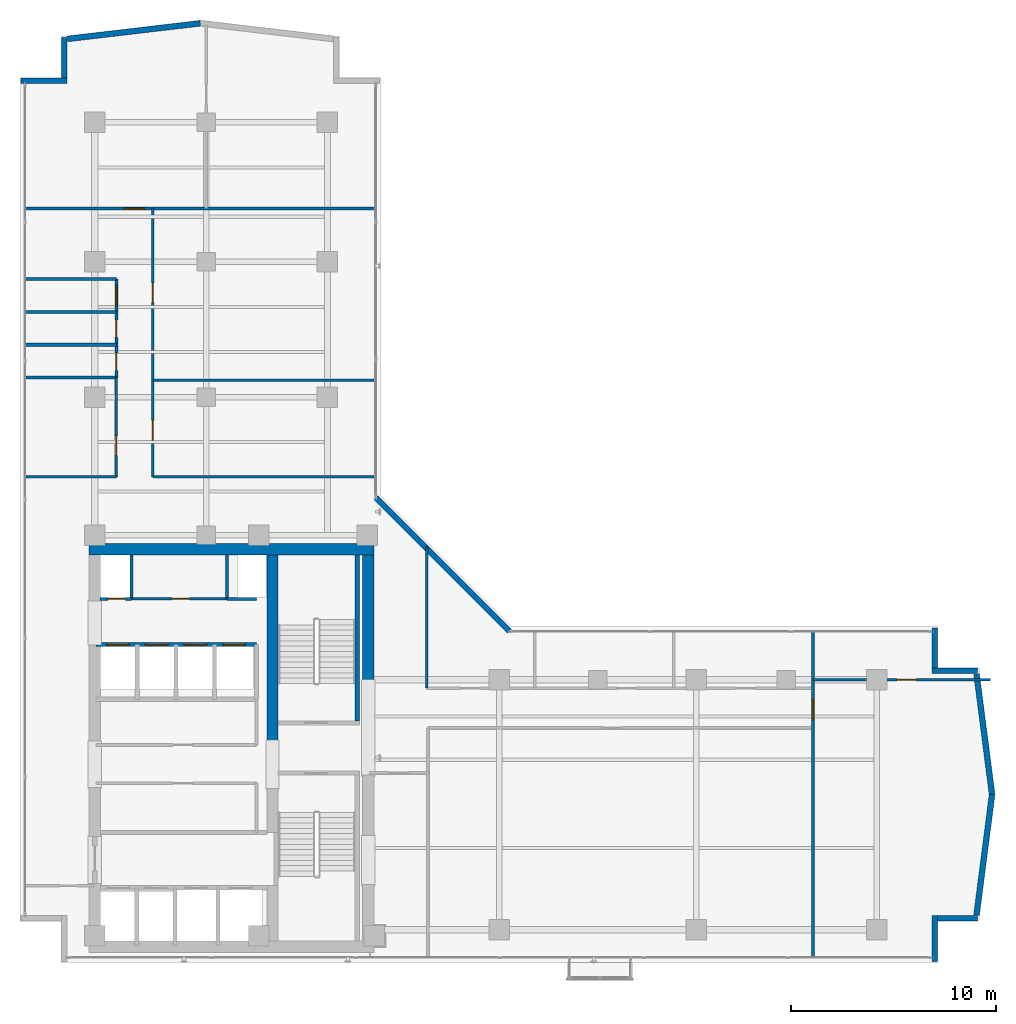
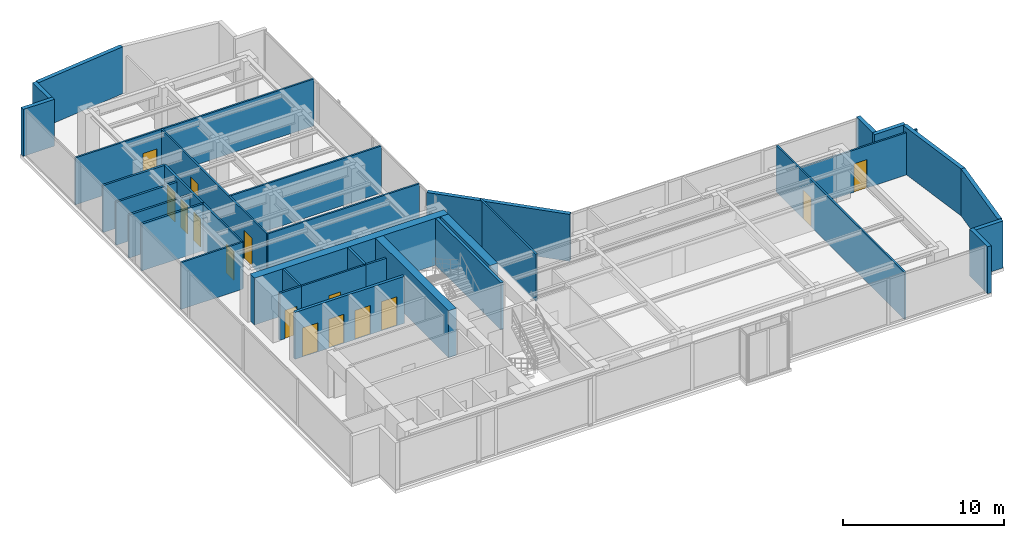
# One storey, part 18 of 23: 34 walls, 15 doors, 15 openings.
"""IFC4 building model written with IfcOpenShell, lengths in metres."""

from ifc_helpers import new_model, si_unit, direction, frame, frame_2d, origin, place, context, subcontext, project, spatial, rectangle, extrude, material, layer, layer_set, type_object, element, fill, save


model = new_model("IFC4")

# Units and contexts
model_context = context("Model", 3, precision=1e-05, world=origin(), true_north=direction((0.0, 1.0)))
body_context = subcontext(model_context, "Body", "Model", "MODEL_VIEW")
ifc_project = project(units=[si_unit("LENGTHUNIT", "METRE"), si_unit("AREAUNIT", "SQUARE_METRE"), si_unit("VOLUMEUNIT", "CUBIC_METRE"), si_unit("PLANEANGLEUNIT", "RADIAN"), si_unit("MASSUNIT", "GRAM", prefix="KILO")], contexts=[model_context])

# Site, building, storey
site_placement = place(None, origin())
site = spatial("IfcSite", under=ifc_project, at=site_placement, CompositionType="ELEMENT")
building_placement = place(site_placement, origin())
building = spatial("IfcBuilding", under=site, at=building_placement, Name="Kolvaren Waterfront Exchange", CompositionType="ELEMENT")
storey_placement = place(building_placement, frame((0.0, 0.0, 250.10009765625)))
storey = spatial("IfcBuildingStorey", under=building, at=storey_placement, Name="L64", CompositionType="ELEMENT", Elevation=250.10009765625)

# Walls
ifc_material_1 = material(Name="Precast concrete C40/50", Category="concrete")
ifc_layer_1 = layer(ifc_material_1, 0.280029296875, Name="Precast concrete C40/50")
ifc_layer_set_1 = layer_set([ifc_layer_1], Name="Precast concrete C40/50")
wall_type_1 = type_object("IfcWallType", Name="ARC-EXT-TERR-280", PredefinedType="SOLIDWALL", material=ifc_layer_set_1)
wall_1_placement = place(storey_placement, frame((48.43994140625, 3.659912109375, 0.0), z_axis=(0.0, 0.0, 1.0), x_axis=(0.0, 1.0, 0.0)))
element("IfcWall", 1, at=wall_1_placement, inside=storey, type_object=wall_type_1, Name="L64 notched corner spandrel pier SE-A", PredefinedType="SOLIDWALL", context=body_context, shape_type="SweptSolid", body=[
    extrude(rectangle(XDim=2.239990234375, YDim=0.280029296875, at=frame_2d((1.1201171875, 0.0))), origin(), (0.0, 0.0, 1.0), 3.559814453125),
])
wall_2_placement = place(storey_placement, frame((48.580078125, 5.760009765625, 0.0), z_axis=(0.0, 0.0, 1.0), x_axis=(1.0, 0.0, 0.0)))
element("IfcWall", 2, at=wall_2_placement, inside=storey, type_object=wall_type_1, Name="L64 notched corner spandrel pier SE-B", PredefinedType="SOLIDWALL", context=body_context, shape_type="SweptSolid", body=[
    extrude(rectangle(XDim=1.9599609375, YDim=0.280029296875, at=frame_2d((0.97998046875, 0.0))), origin(), (0.0, 0.0, 1.0), 3.559814453125),
])
wall_3_placement = place(storey_placement, frame((48.43994140625, 17.965087890625, 0.0), z_axis=(0.0, 0.0, 1.0), x_axis=(0.0, 1.0, 0.0)))
element("IfcWall", 3, at=wall_3_placement, inside=storey, type_object=wall_type_1, Name="L64 notched corner spandrel pier ENE-A", PredefinedType="SOLIDWALL", context=body_context, shape_type="SweptSolid", body=[
    extrude(rectangle(XDim=1.974853515625, YDim=0.280029296875, at=frame_2d((0.9873046875, 0.0))), origin(), (0.0, 0.0, 1.0), 3.559814453125),
])
for number, where, z_axis, x_axis, name in (
    (4, (48.300048828125, 17.840087890625, 0.0), (0.0, 0.0, 1.0), (1.0, 0.0, 0.0), "L64 notched corner spandrel pier ENE-B"),
    (5, (3.860107421875, 46.639892578125, 0.0), (0.0, 0.0, 1.0), (1.0, 0.0, 0.0), "L64 notched corner spandrel pier NW-A"),
):
    element("IfcWall", number, at=place(storey_placement, frame(where, z_axis=z_axis, x_axis=x_axis)), inside=storey, type_object=wall_type_1, Name=name, PredefinedType="SOLIDWALL", context=body_context, shape_type="SweptSolid", body=[
        extrude(rectangle(XDim=2.239990234375, YDim=0.280029296875, at=frame_2d((1.1201171875, 0.0))), origin(), (0.0, 0.0, 1.0), 3.559814453125),
    ])
wall_4_placement = place(storey_placement, frame((5.9599609375, 46.780029296875, 0.0), z_axis=(0.0, 0.0, 1.0), x_axis=(0.0, 1.0, 0.0)))
element("IfcWall", 6, at=wall_4_placement, inside=storey, type_object=wall_type_1, Name="L64 notched corner spandrel pier NW-B", PredefinedType="SOLIDWALL", context=body_context, shape_type="SweptSolid", body=[
    extrude(rectangle(XDim=1.9599609375, YDim=0.280029296875, at=frame_2d((0.97998046875, 0.0))), origin(), (0.0, 0.0, 1.0), 3.559814453125),
])
wall_5_placement = place(storey_placement, frame((27.68505859375, 19.77490234375, 0.0), z_axis=(0.0, 0.0, 1.0), x_axis=(-0.707106781187, 0.707106781187, 0.0)))
element("IfcWall", 7, at=wall_5_placement, inside=storey, type_object=wall_type_1, Name="L64 notched corner spandrel pier ELBOW", PredefinedType="SOLIDWALL", context=body_context, shape_type="SweptSolid", body=[
    extrude(rectangle(XDim=9.20654296875, YDim=0.280029296875, at=frame_2d((4.603271484375, 0.0))), origin(), (0.0, 0.0, 1.0), 3.559814453125),
])
for number, where, z_axis, x_axis, name in (
    (8, (50.479736328125, 5.91796875, 0.0), (0.0, 0.0, 1.0), (0.127970031595, 0.991778035154, 0.0), "L64 east prow faceted facade wall 1"),
    (9, (51.23876953125, 11.79931640625, 0.0), (0.0, 0.0, 1.0), (-0.127970031595, 0.991778035154, 0.0), "L64 east prow faceted facade wall 2"),
):
    element("IfcWall", number, at=place(storey_placement, frame(where, z_axis=z_axis, x_axis=x_axis)), inside=storey, type_object=wall_type_1, Name=name, PredefinedType="SOLIDWALL", context=body_context, shape_type="SweptSolid", body=[
        extrude(rectangle(XDim=5.931396484375, YDim=0.280029296875, at=frame_2d((2.9658203125, 0.0))), origin(), (0.0, 0.0, 1.0), 3.559814453125),
    ])
wall_6_placement = place(storey_placement, frame((12.598876953125, 49.438720703125, 0.0), z_axis=(0.0, 0.0, 1.0), x_axis=(-0.993149072278, -0.11685426921, 0.0)))
element("IfcWall", 10, at=wall_6_placement, inside=storey, type_object=wall_type_1, Name="L64 north prow faceted facade wall 2", PredefinedType="SOLIDWALL", context=body_context, shape_type="SweptSolid", body=[
    extrude(rectangle(XDim=6.52685546875, YDim=0.280029296875, at=frame_2d((3.263427734375, 0.0))), origin(), (0.0, 0.0, 1.0), 3.559814453125),
])

# Wall, opening, door
ifc_material_2 = material(Name="Acoustic gypsum steel stud", Category="steel")
ifc_layer_2 = layer(ifc_material_2, 0.125, Name="Acoustic gypsum steel stud")
ifc_layer_set_2 = layer_set([ifc_layer_2], Name="Acoustic gypsum steel stud")
wall_type_2 = type_object("IfcWallType", Name="ARC-PART-125", PredefinedType="PARTITIONING", material=ifc_layer_set_2)
wall_7_placement = place(storey_placement, frame((9.25, 21.35009765625, 0.0), z_axis=(0.0, 0.0, 1.0), x_axis=(1.0, 0.0, 0.0)))
wall_7 = element("IfcWall", 11, at=wall_7_placement, inside=storey, type_object=wall_type_2, Name="L64 interior wall PW-L64-SVC-HI-S", PredefinedType="PARTITIONING", context=body_context, shape_type="SweptSolid", body=[
    extrude(rectangle(XDim=4.64990234375, YDim=0.125, at=frame_2d((2.324951171875, 0.0))), origin(), (0.0, 0.0, 1.0), 3.559814453125),
])
opening_1_placement = place(wall_7_placement, frame((1.971435546875, 0.0, 0.0)))
opening_1 = element("IfcOpeningElement", 12, at=opening_1_placement, cuts=wall_7, Name="Opening D01", PredefinedType="OPENING", context=body_context, shape_type="SweptSolid", body=[
    extrude(rectangle(XDim=0.85009765625, YDim=2.14990234375, at=frame_2d((0.425048828125, 1.074951171875))), frame((0.0, 0.072509765625, 0.0), z_axis=(0.0, -1.0, 0.0), x_axis=(1.0, 0.0, 0.0)), (0.0, 0.0, 1.0), 0.14501953125),
])
ifc_material_3 = material(Name="Oak veneer timber leaf", Category="wood")
door_type_1 = type_object("IfcDoorType", Name="ARC-DR-900", OperationType="NOTDEFINED", PredefinedType="DOOR", material=ifc_material_3)
door_1_placement = place(opening_1_placement, origin())
door_1 = element("IfcDoor", 13, at=door_1_placement, inside=storey, type_object=door_type_1, Name="L64 door DR-L64-SVC-DR-1 (D01)", OperationType="SINGLE_SWING_RIGHT", OverallHeight=2.14990234375, OverallWidth=0.85009765625, PredefinedType="DOOR", context=body_context, shape_type="SweptSolid", body=[
    extrude(rectangle(XDim=0.85009765625, YDim=2.14990234375, at=frame_2d((0.425048828125, 1.074951171875))), frame((0.0, 0.02490234375, 0.0), z_axis=(0.0, -1.0, 0.0), x_axis=(1.0, 0.0, 0.0)), (0.0, 0.0, 1.0), 0.050048828125),
])
fill(opening_1, door_1)

wall_8_placement = place(storey_placement, frame((8.5, 27.300048828125, 0.0), z_axis=(0.0, 0.0, 1.0), x_axis=(0.0, 1.0, 0.0)))
wall_8 = element("IfcWall", 14, at=wall_8_placement, inside=storey, type_object=wall_type_2, Name="L64 interior wall PW-L64-PREWC-E", PredefinedType="PARTITIONING", context=body_context, shape_type="SweptSolid", body=[
    extrude(rectangle(XDim=4.849853515625, YDim=0.125, at=frame_2d((2.4248046875, 0.0))), origin(), (0.0, 0.0, 1.0), 3.559814453125),
])
opening_2_placement = place(wall_8_placement, frame((1.050048828125, 0.0, 0.0)))
opening_2 = element("IfcOpeningElement", 15, at=opening_2_placement, cuts=wall_8, Name="Opening D02", PredefinedType="OPENING", context=body_context, shape_type="SweptSolid", body=[
    extrude(rectangle(XDim=0.949951171875, YDim=2.14990234375, at=frame_2d((0.47509765625, 1.074951171875))), frame((0.0, 0.072509765625, 0.0), z_axis=(0.0, -1.0, 0.0), x_axis=(1.0, 0.0, 0.0)), (0.0, 0.0, 1.0), 0.14501953125),
])
ifc_material_4 = material(Name="Oak veneer acoustic timber", Category="wood")
door_type_2 = type_object("IfcDoorType", Name="ARC-DR-950", OperationType="NOTDEFINED", PredefinedType="DOOR", material=ifc_material_4)
door_2_placement = place(opening_2_placement, origin())
door_2 = element("IfcDoor", 16, at=door_2_placement, inside=storey, type_object=door_type_2, Name="L64 door DR-L64-PREWC-D (D02)", OperationType="SINGLE_SWING_LEFT", OverallHeight=2.14990234375, OverallWidth=0.949951171875, PredefinedType="DOOR", context=body_context, shape_type="SweptSolid", body=[
    extrude(rectangle(XDim=0.949951171875, YDim=2.14990234375, at=frame_2d((0.47509765625, 1.074951171875))), frame((0.0, 0.02490234375, 0.0), z_axis=(0.0, -1.0, 0.0), x_axis=(1.0, 0.0, 0.0)), (0.0, 0.0, 1.0), 0.050048828125),
])
fill(opening_2, door_2)

# Wall
wall_9_placement = place(storey_placement, frame((4.0400390625, 27.300048828125, 0.0), z_axis=(0.0, 0.0, 1.0), x_axis=(1.0, 0.0, 0.0)))
element("IfcWall", 17, at=wall_9_placement, inside=storey, type_object=wall_type_2, Name="L64 interior wall PW-L64-PREWC-S", PredefinedType="PARTITIONING", context=body_context, shape_type="SweptSolid", body=[
    extrude(rectangle(XDim=4.4599609375, YDim=0.125, at=frame_2d((2.22998046875, 0.0))), origin(), (0.0, 0.0, 1.0), 3.559814453125),
])

# Wall, opening, door
wall_10_placement = place(storey_placement, frame((42.5, 3.840087890625, 0.0), z_axis=(0.0, 0.0, 1.0), x_axis=(0.0, 1.0, 0.0)))
wall_10 = element("IfcWall", 18, at=wall_10_placement, inside=storey, type_object=wall_type_2, Name="L64 interior wall PW-L64-ETIP-W", PredefinedType="PARTITIONING", context=body_context, shape_type="SweptSolid", body=[
    extrude(rectangle(XDim=15.919921875, YDim=0.125, at=frame_2d((7.9599609375, 0.0))), origin(), (0.0, 0.0, 1.0), 3.559814453125),
])
opening_3_placement = place(wall_10_placement, frame((11.610107421875, 0.0, 0.0)))
opening_3 = element("IfcOpeningElement", 19, at=opening_3_placement, cuts=wall_10, Name="Opening D03", PredefinedType="OPENING", context=body_context, shape_type="SweptSolid", body=[
    extrude(rectangle(XDim=1.0, YDim=2.199951171875, at=frame_2d((0.5, 1.10009765625))), frame((0.0, 0.072509765625, 0.0), z_axis=(0.0, -1.0, 0.0), x_axis=(1.0, 0.0, 0.0)), (0.0, 0.0, 1.0), 0.14501953125),
])
ifc_material_5 = material(Name="Oak veneer accessible timber", Category="wood")
door_type_3 = type_object("IfcDoorType", Name="ARC-DR-1000", OperationType="NOTDEFINED", PredefinedType="DOOR", material=ifc_material_5)
door_3_placement = place(opening_3_placement, origin())
door_3 = element("IfcDoor", 20, at=door_3_placement, inside=storey, type_object=door_type_3, Name="L64 door DR-L64-ETIP1-D (D03)", OperationType="SINGLE_SWING_RIGHT", OverallHeight=2.199951171875, OverallWidth=1.0, PredefinedType="DOOR", context=body_context, shape_type="SweptSolid", body=[
    extrude(rectangle(XDim=1.0, YDim=2.199951171875, at=frame_2d((0.5, 1.10009765625))), frame((0.0, 0.02490234375, 0.0), z_axis=(0.0, -1.0, 0.0), x_axis=(1.0, 0.0, 0.0)), (0.0, 0.0, 1.0), 0.050048828125),
])
fill(opening_3, door_3)

wall_11_placement = place(storey_placement, frame((42.5, 17.39990234375, 0.0), z_axis=(0.0, 0.0, 1.0), x_axis=(1.0, 0.0, 0.0)))
wall_11 = element("IfcWall", 21, at=wall_11_placement, inside=storey, type_object=wall_type_2, Name="L64 interior wall PW-L64-ETIP-MID", PredefinedType="PARTITIONING", context=body_context, shape_type="SweptSolid", body=[
    extrude(rectangle(XDim=8.659912109375, YDim=0.125, at=frame_2d((4.330078125, 0.0))), origin(), (0.0, 0.0, 1.0), 3.199951171875),
])
opening_4_placement = place(wall_11_placement, frame((4.10009765625, 0.0, 0.0)))
opening_4 = element("IfcOpeningElement", 22, at=opening_4_placement, cuts=wall_11, Name="Opening D02", PredefinedType="OPENING", context=body_context, shape_type="SweptSolid", body=[
    extrude(rectangle(XDim=0.949951171875, YDim=2.14990234375, at=frame_2d((0.47509765625, 1.074951171875))), frame((0.0, 0.072509765625, 0.0), z_axis=(0.0, -1.0, 0.0), x_axis=(1.0, 0.0, 0.0)), (0.0, 0.0, 1.0), 0.14501953125),
])
door_4_placement = place(opening_4_placement, origin())
door_4 = element("IfcDoor", 23, at=door_4_placement, inside=storey, type_object=door_type_2, Name="L64 door DR-L64-ETIP2-D (D02)", OperationType="SINGLE_SWING_LEFT", OverallHeight=2.14990234375, OverallWidth=0.949951171875, PredefinedType="DOOR", context=body_context, shape_type="SweptSolid", body=[
    extrude(rectangle(XDim=0.949951171875, YDim=2.14990234375, at=frame_2d((0.47509765625, 1.074951171875))), frame((0.0, 0.02490234375, 0.0), z_axis=(0.0, -1.0, 0.0), x_axis=(1.0, 0.0, 0.0)), (0.0, 0.0, 1.0), 0.050048828125),
])
fill(opening_4, door_4)

# Wall
wall_12_placement = place(storey_placement, frame((23.64990234375, 16.989990234375, 0.0), z_axis=(0.0, 0.0, 1.0), x_axis=(0.0, 1.0, 0.0)))
element("IfcWall", 24, at=wall_12_placement, inside=storey, type_object=wall_type_2, Name="L64 interior wall PW-L64-EN-W0", PredefinedType="PARTITIONING", context=body_context, shape_type="SweptSolid", body=[
    extrude(rectangle(XDim=6.919921875, YDim=0.125, at=frame_2d((3.4599609375, 0.0))), origin(), (0.0, 0.0, 1.0), 3.559814453125),
])

# Wall, opening, door
wall_13_placement = place(storey_placement, frame((4.0400390625, 40.39990234375, 0.0), z_axis=(0.0, 0.0, 1.0), x_axis=(1.0, 0.0, 0.0)))
wall_13 = element("IfcWall", 25, at=wall_13_placement, inside=storey, type_object=wall_type_2, Name="L64 interior wall PW-L64-NTIP-S", PredefinedType="PARTITIONING", context=body_context, shape_type="SweptSolid", body=[
    extrude(rectangle(XDim=17.119873046875, YDim=0.125, at=frame_2d((8.56005859375, 0.0))), origin(), (0.0, 0.0, 1.0), 3.559814453125),
])
opening_5_placement = place(wall_13_placement, frame((4.85009765625, 0.0, 0.0)))
opening_5 = element("IfcOpeningElement", 26, at=opening_5_placement, cuts=wall_13, Name="Opening D03", PredefinedType="OPENING", context=body_context, shape_type="SweptSolid", body=[
    extrude(rectangle(XDim=1.0, YDim=2.199951171875, at=frame_2d((0.5, 1.10009765625))), frame((0.0, 0.072509765625, 0.0), z_axis=(0.0, -1.0, 0.0), x_axis=(1.0, 0.0, 0.0)), (0.0, 0.0, 1.0), 0.14501953125),
])
door_5_placement = place(opening_5_placement, origin())
door_5 = element("IfcDoor", 27, at=door_5_placement, inside=storey, type_object=door_type_3, Name="L64 door DR-L64-NTIPW-D (D03)", OperationType="SINGLE_SWING_LEFT", OverallHeight=2.199951171875, OverallWidth=1.0, PredefinedType="DOOR", context=body_context, shape_type="SweptSolid", body=[
    extrude(rectangle(XDim=1.0, YDim=2.199951171875, at=frame_2d((0.5, 1.10009765625))), frame((0.0, 0.02490234375, 0.0), z_axis=(0.0, -1.0, 0.0), x_axis=(1.0, 0.0, 0.0)), (0.0, 0.0, 1.0), 0.050048828125),
])
fill(opening_5, door_5)

# Wall
wall_14_placement = place(storey_placement, frame((10.280029296875, 27.300048828125, 0.0), z_axis=(0.0, 0.0, 1.0), x_axis=(1.0, 0.0, 0.0)))
element("IfcWall", 28, at=wall_14_placement, inside=storey, type_object=wall_type_2, Name="L64 interior wall PW-L64-NE-S0", PredefinedType="PARTITIONING", context=body_context, shape_type="SweptSolid", body=[
    extrude(rectangle(XDim=10.8798828125, YDim=0.125, at=frame_2d((5.43994140625, 0.0))), origin(), (0.0, 0.0, 1.0), 3.559814453125),
])

# Wall, openings, doors
wall_15_placement = place(storey_placement, frame((10.280029296875, 27.300048828125, 0.0), z_axis=(0.0, 0.0, 1.0), x_axis=(0.0, 1.0, 0.0)))
wall_15 = element("IfcWall", 29, at=wall_15_placement, inside=storey, type_object=wall_type_2, Name="L64 interior wall PW-L64-NE-CORR", PredefinedType="PARTITIONING", context=body_context, shape_type="SweptSolid", body=[
    extrude(rectangle(XDim=13.099853515625, YDim=0.125, at=frame_2d((6.5498046875, 0.0))), origin(), (0.0, 0.0, 1.0), 3.559814453125),
])
opening_6_placement = place(wall_15_placement, frame((1.814208984375, 0.0, 0.0)))
opening_6 = element("IfcOpeningElement", 30, at=opening_6_placement, cuts=wall_15, Name="Opening D02", PredefinedType="OPENING", context=body_context, shape_type="SweptSolid", body=[
    extrude(rectangle(XDim=0.949951171875, YDim=2.14990234375, at=frame_2d((0.47509765625, 1.074951171875))), frame((0.0, 0.072509765625, 0.0), z_axis=(0.0, -1.0, 0.0), x_axis=(1.0, 0.0, 0.0)), (0.0, 0.0, 1.0), 0.14501953125),
])
opening_7_placement = place(wall_15_placement, frame((8.505615234375, 0.0, 0.0)))
opening_7 = element("IfcOpeningElement", 31, at=opening_7_placement, cuts=wall_15, Name="Opening D02", PredefinedType="OPENING", context=body_context, shape_type="SweptSolid", body=[
    extrude(rectangle(XDim=0.949951171875, YDim=2.14990234375, at=frame_2d((0.47509765625, 1.074951171875))), frame((0.0, 0.072509765625, 0.0), z_axis=(0.0, -1.0, 0.0), x_axis=(1.0, 0.0, 0.0)), (0.0, 0.0, 1.0), 0.14501953125),
])
door_6_placement = place(opening_6_placement, origin())
door_6 = element("IfcDoor", 32, at=door_6_placement, inside=storey, type_object=door_type_2, Name="L64 door DR-L64-NE-D-1 (D02)", OperationType="SINGLE_SWING_LEFT", OverallHeight=2.14990234375, OverallWidth=0.949951171875, PredefinedType="DOOR", context=body_context, shape_type="SweptSolid", body=[
    extrude(rectangle(XDim=0.949951171875, YDim=2.14990234375, at=frame_2d((0.47509765625, 1.074951171875))), frame((0.0, 0.02490234375, 0.0), z_axis=(0.0, -1.0, 0.0), x_axis=(1.0, 0.0, 0.0)), (0.0, 0.0, 1.0), 0.050048828125),
])
fill(opening_6, door_6)
door_7_placement = place(opening_7_placement, origin())
door_7 = element("IfcDoor", 33, at=door_7_placement, inside=storey, type_object=door_type_2, Name="L64 door DR-L64-NE-D-2 (D02)", OperationType="SINGLE_SWING_RIGHT", OverallHeight=2.14990234375, OverallWidth=0.949951171875, PredefinedType="DOOR", context=body_context, shape_type="SweptSolid", body=[
    extrude(rectangle(XDim=0.949951171875, YDim=2.14990234375, at=frame_2d((0.47509765625, 1.074951171875))), frame((0.0, 0.02490234375, 0.0), z_axis=(0.0, -1.0, 0.0), x_axis=(1.0, 0.0, 0.0)), (0.0, 0.0, 1.0), 0.050048828125),
])
fill(opening_7, door_7)

# Walls
wall_16_placement = place(storey_placement, frame((10.280029296875, 32.02001953125, 0.0), z_axis=(0.0, 0.0, 1.0), x_axis=(1.0, 0.0, 0.0)))
element("IfcWall", 34, at=wall_16_placement, inside=storey, type_object=wall_type_2, Name="L64 interior wall PW-L64-NE-DIV-1", PredefinedType="PARTITIONING", context=body_context, shape_type="SweptSolid", body=[
    extrude(rectangle(XDim=10.8798828125, YDim=0.125, at=frame_2d((5.43994140625, 0.0))), origin(), (0.0, 0.0, 1.0), 3.559814453125),
])
ifc_material_6 = material(Name="Gypsum fireboard steel stud", Category="steel")
ifc_layer_3 = layer(ifc_material_6, 0.14990234375, Name="Gypsum fireboard steel stud")
ifc_layer_set_3 = layer_set([ifc_layer_3], Name="Gypsum fireboard steel stud")
wall_type_3 = type_object("IfcWallType", Name="ARC-PART-150", PredefinedType="PARTITIONING", material=ifc_layer_set_3)
for number, where, z_axis, x_axis, name in (
    (35, (9.25, 21.35009765625, 0.0), (0.0, 0.0, 1.0), (0.0, 1.0, 0.0), "L64 interior wall PW-L64-SVC-R1"),
    (36, (13.89990234375, 21.35009765625, 0.0), (0.0, 0.0, 1.0), (0.0, 1.0, 0.0), "L64 interior wall PW-L64-SVC-R2"),
):
    element("IfcWall", number, at=place(storey_placement, frame(where, z_axis=z_axis, x_axis=x_axis)), inside=storey, type_object=wall_type_3, Name=name, PredefinedType="PARTITIONING", context=body_context, shape_type="SweptSolid", body=[
        extrude(rectangle(XDim=2.1298828125, YDim=0.14990234375, at=frame_2d((1.06494140625, 0.0))), origin(), (0.0, 0.0, 1.0), 3.559814453125),
    ])

# Wall, opening, door
wall_17_placement = place(storey_placement, frame((7.699951171875, 21.35009765625, 0.0), z_axis=(0.0, 0.0, 1.0), x_axis=(1.0, 0.0, 0.0)))
wall_17 = element("IfcWall", 37, at=wall_17_placement, inside=storey, type_object=wall_type_3, Name="L64 interior wall PW-L64-SVC-RE-S", PredefinedType="PARTITIONING", context=body_context, shape_type="SweptSolid", body=[
    extrude(rectangle(XDim=1.550048828125, YDim=0.14990234375, at=frame_2d((0.77490234375, 0.0))), origin(), (0.0, 0.0, 1.0), 3.559814453125),
])
opening_8_placement = place(wall_17_placement, frame((0.389892578125, 0.0, 0.0)))
opening_8 = element("IfcOpeningElement", 38, at=opening_8_placement, cuts=wall_17, Name="Opening FD1", PredefinedType="OPENING", context=body_context, shape_type="SweptSolid", body=[
    extrude(rectangle(XDim=0.85009765625, YDim=2.14990234375, at=frame_2d((0.425048828125, 1.074951171875))), frame((0.0, 0.0849609375, 0.0), z_axis=(0.0, -1.0, 0.0), x_axis=(1.0, 0.0, 0.0)), (0.0, 0.0, 1.0), 0.169921875),
])
ifc_material_7 = material(Name="Pressed steel fire leaf", Category="steel")
door_type_4 = type_object("IfcDoorType", Name="ARC-FD-900", OperationType="NOTDEFINED", PredefinedType="DOOR", material=ifc_material_7)
door_8_placement = place(opening_8_placement, origin())
door_8 = element("IfcDoor", 39, at=door_8_placement, inside=storey, type_object=door_type_4, Name="L64 door DR-L64-RISER-E-DR (FD1)", OperationType="SINGLE_SWING_LEFT", OverallHeight=2.14990234375, OverallWidth=0.85009765625, PredefinedType="DOOR", context=body_context, shape_type="SweptSolid", body=[
    extrude(rectangle(XDim=0.85009765625, YDim=2.14990234375, at=frame_2d((0.425048828125, 1.074951171875))), frame((0.0, 0.02490234375, 0.0), z_axis=(0.0, -1.0, 0.0), x_axis=(1.0, 0.0, 0.0)), (0.0, 0.0, 1.0), 0.050048828125),
])
fill(opening_8, door_8)

# Walls
wall_18_placement = place(storey_placement, frame((13.89990234375, 21.35009765625, 0.0), z_axis=(0.0, 0.0, 1.0), x_axis=(1.0, 0.0, 0.0)))
element("IfcWall", 40, at=wall_18_placement, inside=storey, type_object=wall_type_3, Name="L64 interior wall PW-L64-SVC-RP-S", PredefinedType="PARTITIONING", context=body_context, shape_type="SweptSolid", body=[
    extrude(rectangle(XDim=1.4501953125, YDim=0.14990234375, at=frame_2d((0.72509765625, 0.0))), origin(), (0.0, 0.0, 1.0), 3.559814453125),
])
ifc_material_8 = material(Name="Moisture-resistant gypsum stud")
ifc_layer_4 = layer(ifc_material_8, 0.14990234375, Name="Moisture-resistant gypsum stud")
ifc_layer_set_4 = layer_set([ifc_layer_4], Name="Moisture-resistant gypsum stud")
wall_type_4 = type_object("IfcWallType", Name="ARC-PLUMB-150", PredefinedType="PLUMBINGWALL", material=ifc_layer_set_4)
wall_19_placement = place(storey_placement, frame((4.0400390625, 32.14990234375, 0.0), z_axis=(0.0, 0.0, 1.0), x_axis=(1.0, 0.0, 0.0)))
element("IfcWall", 41, at=wall_19_placement, inside=storey, type_object=wall_type_4, Name="L64 interior wall PW-L64-WC-0", PredefinedType="PLUMBINGWALL", context=body_context, shape_type="SweptSolid", body=[
    extrude(rectangle(XDim=4.4599609375, YDim=0.14990234375, at=frame_2d((2.22998046875, 0.0))), origin(), (0.0, 0.0, 1.0), 3.559814453125),
])

# Wall, openings, doors
wall_20_placement = place(storey_placement, frame((8.5, 32.14990234375, 0.0), z_axis=(0.0, 0.0, 1.0), x_axis=(0.0, 1.0, 0.0)))
wall_20 = element("IfcWall", 42, at=wall_20_placement, inside=storey, type_object=wall_type_4, Name="L64 interior wall PW-L64-WC-E", PredefinedType="PLUMBINGWALL", context=body_context, shape_type="SweptSolid", body=[
    extrude(rectangle(XDim=4.800048828125, YDim=0.14990234375, at=frame_2d((2.39990234375, 0.0))), origin(), (0.0, 0.0, 1.0), 3.559814453125),
])
opening_9_placement = place(wall_20_placement, frame((0.35009765625, 0.0, 0.0)))
opening_9 = element("IfcOpeningElement", 43, at=opening_9_placement, cuts=wall_20, Name="Opening D01", PredefinedType="OPENING", context=body_context, shape_type="SweptSolid", body=[
    extrude(rectangle(XDim=0.85009765625, YDim=2.14990234375, at=frame_2d((0.425048828125, 1.074951171875))), frame((0.0, 0.0849609375, 0.0), z_axis=(0.0, -1.0, 0.0), x_axis=(1.0, 0.0, 0.0)), (0.0, 0.0, 1.0), 0.169921875),
])
opening_10_placement = place(wall_20_placement, frame((1.949951171875, 0.0, 0.0)))
opening_10 = element("IfcOpeningElement", 44, at=opening_10_placement, cuts=wall_20, Name="Opening D01", PredefinedType="OPENING", context=body_context, shape_type="SweptSolid", body=[
    extrude(rectangle(XDim=0.85009765625, YDim=2.14990234375, at=frame_2d((0.425048828125, 1.074951171875))), frame((0.0, 0.0849609375, 0.0), z_axis=(0.0, -1.0, 0.0), x_axis=(1.0, 0.0, 0.0)), (0.0, 0.0, 1.0), 0.169921875),
])
opening_11_placement = place(wall_20_placement, frame((3.5, 0.0, 0.0)))
opening_11 = element("IfcOpeningElement", 45, at=opening_11_placement, cuts=wall_20, Name="Opening D03", PredefinedType="OPENING", context=body_context, shape_type="SweptSolid", body=[
    extrude(rectangle(XDim=1.0, YDim=2.199951171875, at=frame_2d((0.5, 1.10009765625))), frame((0.0, 0.0849609375, 0.0), z_axis=(0.0, -1.0, 0.0), x_axis=(1.0, 0.0, 0.0)), (0.0, 0.0, 1.0), 0.169921875),
])
door_9_placement = place(opening_11_placement, origin())
door_9 = element("IfcDoor", 46, at=door_9_placement, inside=storey, type_object=door_type_3, Name="L64 door DR-L64-WCA-D (D03)", OperationType="SINGLE_SWING_RIGHT", OverallHeight=2.199951171875, OverallWidth=1.0, PredefinedType="DOOR", context=body_context, shape_type="SweptSolid", body=[
    extrude(rectangle(XDim=1.0, YDim=2.199951171875, at=frame_2d((0.5, 1.10009765625))), frame((0.0, 0.02490234375, 0.0), z_axis=(0.0, -1.0, 0.0), x_axis=(1.0, 0.0, 0.0)), (0.0, 0.0, 1.0), 0.050048828125),
])
fill(opening_11, door_9)
door_10_placement = place(opening_9_placement, origin())
door_10 = element("IfcDoor", 47, at=door_10_placement, inside=storey, type_object=door_type_1, Name="L64 door DR-L64-WCM-D (D01)", OperationType="SINGLE_SWING_RIGHT", OverallHeight=2.14990234375, OverallWidth=0.85009765625, PredefinedType="DOOR", context=body_context, shape_type="SweptSolid", body=[
    extrude(rectangle(XDim=0.85009765625, YDim=2.14990234375, at=frame_2d((0.425048828125, 1.074951171875))), frame((0.0, 0.02490234375, 0.0), z_axis=(0.0, -1.0, 0.0), x_axis=(1.0, 0.0, 0.0)), (0.0, 0.0, 1.0), 0.050048828125),
])
fill(opening_9, door_10)
door_11_placement = place(opening_10_placement, origin())
door_11 = element("IfcDoor", 48, at=door_11_placement, inside=storey, type_object=door_type_1, Name="L64 door DR-L64-WCF-D (D01)", OperationType="SINGLE_SWING_LEFT", OverallHeight=2.14990234375, OverallWidth=0.85009765625, PredefinedType="DOOR", context=body_context, shape_type="SweptSolid", body=[
    extrude(rectangle(XDim=0.85009765625, YDim=2.14990234375, at=frame_2d((0.425048828125, 1.074951171875))), frame((0.0, 0.02490234375, 0.0), z_axis=(0.0, -1.0, 0.0), x_axis=(1.0, 0.0, 0.0)), (0.0, 0.0, 1.0), 0.050048828125),
])
fill(opening_10, door_11)

# Walls
for number, where, z_axis, x_axis, name in (
    (49, (4.0400390625, 33.75, 0.0), (0.0, 0.0, 1.0), (1.0, 0.0, 0.0), "L64 interior wall PW-L64-WC-1"),
    (50, (4.0400390625, 35.35009765625, 0.0), (0.0, 0.0, 1.0), (1.0, 0.0, 0.0), "L64 interior wall PW-L64-WC-2"),
):
    element("IfcWall", number, at=place(storey_placement, frame(where, z_axis=z_axis, x_axis=x_axis)), inside=storey, type_object=wall_type_4, Name=name, PredefinedType="PLUMBINGWALL", context=body_context, shape_type="SweptSolid", body=[
        extrude(rectangle(XDim=4.4599609375, YDim=0.14990234375, at=frame_2d((2.22998046875, 0.0))), origin(), (0.0, 0.0, 1.0), 3.260009765625),
    ])
wall_21_placement = place(storey_placement, frame((4.0400390625, 36.949951171875, 0.0), z_axis=(0.0, 0.0, 1.0), x_axis=(1.0, 0.0, 0.0)))
element("IfcWall", 51, at=wall_21_placement, inside=storey, type_object=wall_type_4, Name="L64 interior wall PW-L64-WC-3", PredefinedType="PLUMBINGWALL", context=body_context, shape_type="SweptSolid", body=[
    extrude(rectangle(XDim=4.4599609375, YDim=0.14990234375, at=frame_2d((2.22998046875, 0.0))), origin(), (0.0, 0.0, 1.0), 3.559814453125),
])
ifc_material_9 = material(Name="Concrete C40/50", Category="concrete")
ifc_layer_5 = layer(ifc_material_9, 0.199951171875, Name="Concrete C40/50")
ifc_layer_set_5 = layer_set([ifc_layer_5], Name="Concrete C40/50")
wall_type_5 = type_object("IfcWallType", Name="ARC-SHAFT-200", PredefinedType="PARTITIONING", material=ifc_layer_set_5)
wall_22_placement = place(storey_placement, frame((20.260009765625, 15.39990234375, 0.0), z_axis=(0.0, 0.0, 1.0), x_axis=(0.0, 1.0, 0.0)))
element("IfcWall", 52, at=wall_22_placement, inside=storey, type_object=wall_type_5, Name="L64 structural stairwell wall PW-L64-ST2-E", PredefinedType="SHEAR", context=body_context, shape_type="SweptSolid", body=[
    extrude(rectangle(XDim=8.090087890625, YDim=0.199951171875, at=frame_2d((4.044921875, 0.0))), origin(), (0.0, 0.0, 1.0), 3.559814453125),
])

# Wall, openings, doors
wall_23_placement = place(storey_placement, frame((7.5, 19.1201171875, 0.0), z_axis=(0.0, 0.0, 1.0), x_axis=(1.0, 0.0, 0.0)))
wall_23 = element("IfcWall", 53, at=wall_23_placement, inside=storey, type_object=wall_type_5, Name="L64 interior wall PW-L64-PH-N", PredefinedType="PARTITIONING", context=body_context, shape_type="SweptSolid", body=[
    extrude(rectangle(XDim=7.85009765625, YDim=0.199951171875, at=frame_2d((3.925048828125, 0.0))), origin(), (0.0, 0.0, 1.0), 3.559814453125),
])
opening_12_placement = place(wall_23_placement, frame((0.530029296875, 0.0, 0.0)))
opening_12 = element("IfcOpeningElement", 54, at=opening_12_placement, cuts=wall_23, Name="Opening LD2", PredefinedType="OPENING", context=body_context, shape_type="SweptSolid", body=[
    extrude(rectangle(XDim=1.10009765625, YDim=2.199951171875, at=frame_2d((0.550048828125, 1.10009765625))), frame((0.0, 0.10986328125, 0.0), z_axis=(0.0, -1.0, 0.0), x_axis=(1.0, 0.0, 0.0)), (0.0, 0.0, 1.0), 0.219970703125),
])
opening_13_placement = place(wall_23_placement, frame((2.419921875, 0.0, 0.0)))
opening_13 = element("IfcOpeningElement", 55, at=opening_13_placement, cuts=wall_23, Name="Opening LD2", PredefinedType="OPENING", context=body_context, shape_type="SweptSolid", body=[
    extrude(rectangle(XDim=1.10009765625, YDim=2.199951171875, at=frame_2d((0.550048828125, 1.10009765625))), frame((0.0, 0.10986328125, 0.0), z_axis=(0.0, -1.0, 0.0), x_axis=(1.0, 0.0, 0.0)), (0.0, 0.0, 1.0), 0.219970703125),
])
opening_14_placement = place(wall_23_placement, frame((4.31005859375, 0.0, 0.0)))
opening_14 = element("IfcOpeningElement", 56, at=opening_14_placement, cuts=wall_23, Name="Opening LD2", PredefinedType="OPENING", context=body_context, shape_type="SweptSolid", body=[
    extrude(rectangle(XDim=1.10009765625, YDim=2.199951171875, at=frame_2d((0.550048828125, 1.10009765625))), frame((0.0, 0.10986328125, 0.0), z_axis=(0.0, -1.0, 0.0), x_axis=(1.0, 0.0, 0.0)), (0.0, 0.0, 1.0), 0.219970703125),
])
opening_15_placement = place(wall_23_placement, frame((6.199951171875, 0.0, 0.0)))
opening_15 = element("IfcOpeningElement", 57, at=opening_15_placement, cuts=wall_23, Name="Opening LD2", PredefinedType="OPENING", context=body_context, shape_type="SweptSolid", body=[
    extrude(rectangle(XDim=1.10009765625, YDim=2.199951171875, at=frame_2d((0.550048828125, 1.10009765625))), frame((0.0, 0.10986328125, 0.0), z_axis=(0.0, -1.0, 0.0), x_axis=(1.0, 0.0, 0.0)), (0.0, 0.0, 1.0), 0.219970703125),
])
ifc_material_10 = material(Name="Brushed bronze sliding landing door", Category="aluminium")
door_type_5 = type_object("IfcDoorType", Name="ARC-LD-PAX", OperationType="SLIDING_TO_LEFT", PredefinedType="DOOR", material=ifc_material_10)
door_12_placement = place(opening_12_placement, origin())
door_12 = element("IfcDoor", 58, at=door_12_placement, inside=storey, type_object=door_type_5, Name="L64 door LD-L64-PH1 (LD2)", OperationType="SLIDING_TO_LEFT", OverallHeight=2.199951171875, OverallWidth=1.10009765625, PredefinedType="DOOR", context=body_context, shape_type="SweptSolid", body=[
    extrude(rectangle(XDim=1.10009765625, YDim=2.199951171875, at=frame_2d((0.550048828125, 1.10009765625))), frame((0.0, 0.02490234375, 0.0), z_axis=(0.0, -1.0, 0.0), x_axis=(1.0, 0.0, 0.0)), (0.0, 0.0, 1.0), 0.050048828125),
])
fill(opening_12, door_12)
door_13_placement = place(opening_13_placement, origin())
door_13 = element("IfcDoor", 59, at=door_13_placement, inside=storey, type_object=door_type_5, Name="L64 door LD-L64-PH2 (LD2)", OperationType="SLIDING_TO_LEFT", OverallHeight=2.199951171875, OverallWidth=1.10009765625, PredefinedType="DOOR", context=body_context, shape_type="SweptSolid", body=[
    extrude(rectangle(XDim=1.10009765625, YDim=2.199951171875, at=frame_2d((0.550048828125, 1.10009765625))), frame((0.0, 0.02490234375, 0.0), z_axis=(0.0, -1.0, 0.0), x_axis=(1.0, 0.0, 0.0)), (0.0, 0.0, 1.0), 0.050048828125),
])
fill(opening_13, door_13)
door_14_placement = place(opening_14_placement, origin())
door_14 = element("IfcDoor", 60, at=door_14_placement, inside=storey, type_object=door_type_5, Name="L64 door LD-L64-PH3 (LD2)", OperationType="SLIDING_TO_LEFT", OverallHeight=2.199951171875, OverallWidth=1.10009765625, PredefinedType="DOOR", context=body_context, shape_type="SweptSolid", body=[
    extrude(rectangle(XDim=1.10009765625, YDim=2.199951171875, at=frame_2d((0.550048828125, 1.10009765625))), frame((0.0, 0.02490234375, 0.0), z_axis=(0.0, -1.0, 0.0), x_axis=(1.0, 0.0, 0.0)), (0.0, 0.0, 1.0), 0.050048828125),
])
fill(opening_14, door_14)
door_15_placement = place(opening_15_placement, origin())
door_15 = element("IfcDoor", 61, at=door_15_placement, inside=storey, type_object=door_type_5, Name="L64 door LD-L64-PH4 (LD2)", OperationType="SLIDING_TO_LEFT", OverallHeight=2.199951171875, OverallWidth=1.10009765625, PredefinedType="DOOR", context=body_context, shape_type="SweptSolid", body=[
    extrude(rectangle(XDim=1.10009765625, YDim=2.199951171875, at=frame_2d((0.550048828125, 1.10009765625))), frame((0.0, 0.02490234375, 0.0), z_axis=(0.0, -1.0, 0.0), x_axis=(1.0, 0.0, 0.0)), (0.0, 0.0, 1.0), 0.050048828125),
])
fill(opening_15, door_15)

# Walls
ifc_material_11 = material(Name="Concrete C50/60", Category="concrete")
ifc_layer_6 = layer(ifc_material_11, 0.550048828125, Name="Concrete C50/60")
ifc_layer_set_6 = layer_set([ifc_layer_6], Name="Concrete C50/60")
wall_type_6 = type_object("IfcWallType", Name="STR-CWALL-550", PredefinedType="SHEAR", material=ifc_layer_set_6)
wall_24_placement = place(storey_placement, frame((7.175048828125, 23.77490234375, 0.0), z_axis=(0.0, 0.0, 1.0), x_axis=(1.0, 0.0, 0.0)))
element("IfcWall", 62, at=wall_24_placement, inside=storey, type_object=wall_type_6, Name="L64 rear-core shear wall N", PredefinedType="SHEAR", context=body_context, shape_type="SweptSolid", body=[
    extrude(rectangle(XDim=13.89990234375, YDim=0.550048828125, at=frame_2d((6.949951171875, 0.0))), origin(), (0.0, 0.0, 1.0), 3.559814453125),
])
wall_25_placement = place(storey_placement, frame((20.800048828125, 17.35009765625, 0.0), z_axis=(0.0, 0.0, 1.0), x_axis=(0.0, 1.0, 0.0)))
element("IfcWall", 63, at=wall_25_placement, inside=storey, type_object=wall_type_6, Name="L64 rear-core shear wall E3", PredefinedType="SHEAR", context=body_context, shape_type="SweptSolid", body=[
    extrude(rectangle(XDim=6.14990234375, YDim=0.550048828125, at=frame_2d((3.074951171875, 0.0))), origin(), (0.0, 0.0, 1.0), 3.559814453125),
])
wall_26_placement = place(storey_placement, frame((16.125, 14.39990234375, 0.0), z_axis=(0.0, 0.0, 1.0), x_axis=(0.0, 1.0, 0.0)))
element("IfcWall", 64, at=wall_26_placement, inside=storey, type_object=wall_type_6, Name="L64 rear-core shear wall M3", PredefinedType="SHEAR", context=body_context, shape_type="SweptSolid", body=[
    extrude(rectangle(XDim=9.10009765625, YDim=0.550048828125, at=frame_2d((4.550048828125, 0.0))), origin(), (0.0, 0.0, 1.0), 3.559814453125),
])

save(model, "model.ifc")
